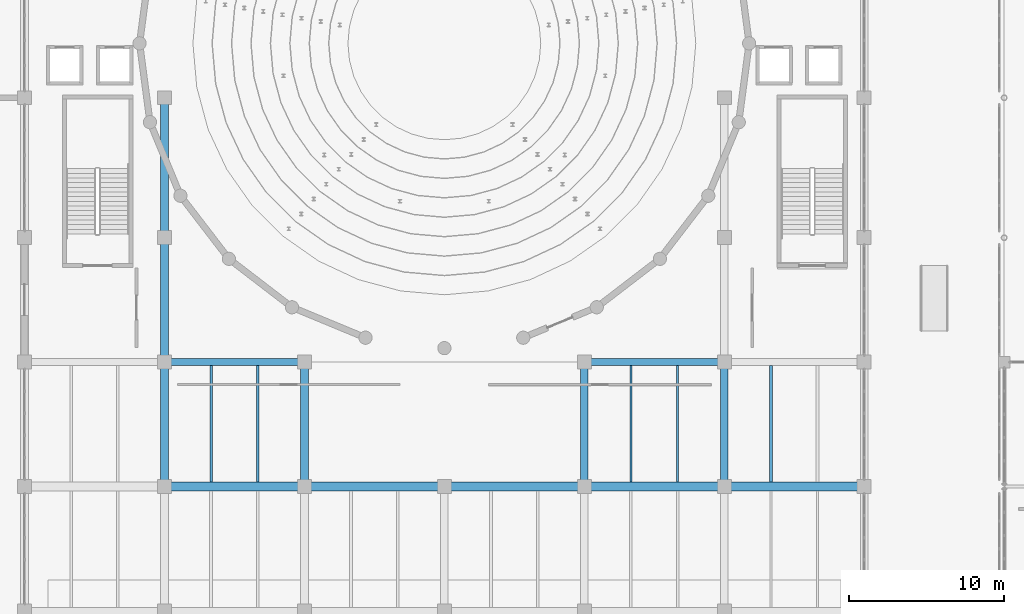
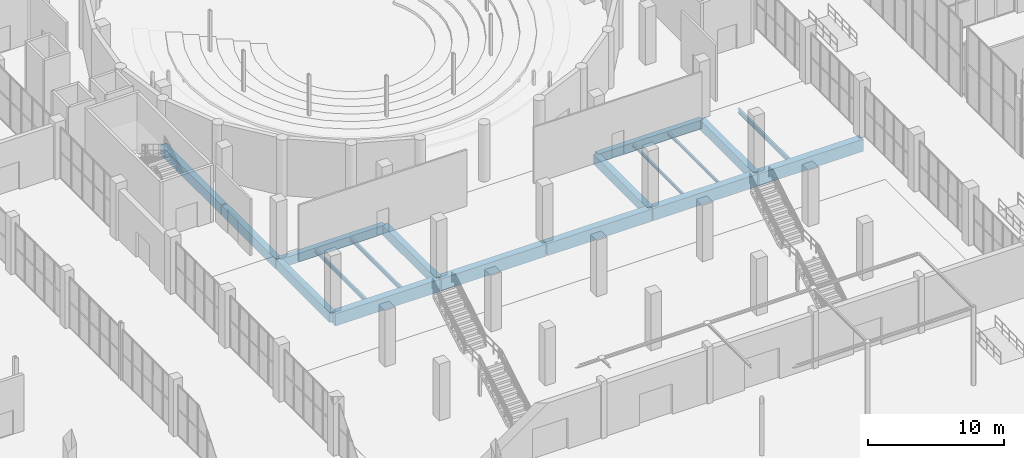
# One storey, part 43 of 103: 18 beams.
"""IFC4 building model written with IfcOpenShell, lengths in metres."""

from ifc_helpers import new_model, si_unit, direction, frame, origin, origin_2d, place, context, subcontext, project, spatial, rectangle, i_section, extrude, material, material_profile, profile_set, type_object, element, save


model = new_model("IFC4")

# Units and contexts
model_context = context("Model", 3, precision=1e-05, world=origin(), true_north=direction((0.0, 1.0)))
body_context = subcontext(model_context, "Body", "Model", "MODEL_VIEW")
ifc_project = project(units=[si_unit("LENGTHUNIT", "METRE"), si_unit("AREAUNIT", "SQUARE_METRE"), si_unit("VOLUMEUNIT", "CUBIC_METRE"), si_unit("PLANEANGLEUNIT", "RADIAN"), si_unit("MASSUNIT", "GRAM", prefix="KILO")], contexts=[model_context])

# Site, building, storey
site_placement = place(None, origin())
site = spatial("IfcSite", under=ifc_project, at=site_placement, CompositionType="ELEMENT")
building_placement = place(site_placement, origin())
building = spatial("IfcBuilding", under=site, at=building_placement, Name="Marnock Terrace Opera House", CompositionType="ELEMENT")
storey_placement = place(building_placement, origin())
storey = spatial("IfcBuildingStorey", under=building, at=storey_placement, Name="L00", CompositionType="ELEMENT", Elevation=0.0)

# Beams
ifc_material_1 = material(Name="Concrete N40 (f'c = 40 MPa)", Category="concrete")
ifc_material_profile_1 = material_profile(ifc_material_1, rectangle(XDim=0.449951171875, YDim=0.800048828125, at=origin_2d()))
ifc_profile_set_1 = profile_set([ifc_material_profile_1], Name="Concrete N40 (f'c = 40 MPa)")
beam_type_1 = type_object("IfcBeamType", Name="BM-B1-RC450", PredefinedType="BEAM", material=ifc_profile_set_1)
for number, where, z_axis, x_axis, name in (
    (1, (64.050048828125, 40.0, -0.699951171875), (1.0, 0.0, 0.0), (0.0, 1.0, 0.0), "L00 girder (64.0..73.0, Y=40.0)"),
    (2, (91.050048828125, 40.0, -0.699951171875), (1.0, 0.0, 0.0), (0.0, 1.0, 0.0), "L00 girder (91.0..100.0, Y=40.0)"),
):
    element("IfcBeam", number, at=place(storey_placement, frame(where, z_axis=z_axis, x_axis=x_axis)), inside=storey, type_object=beam_type_1, Name=name, PredefinedType="BEAM", context=body_context, shape_type="SweptSolid", body=[
        extrude(rectangle(XDim=0.449951171875, YDim=0.800048828125, at=origin_2d()), origin(), (0.0, 0.0, 1.0), 8.89990234375),
    ])
ifc_material_profile_2 = material_profile(ifc_material_1, rectangle(XDim=0.5, YDim=0.89990234375, at=origin_2d()))
ifc_profile_set_2 = profile_set([ifc_material_profile_2], Name="Concrete N40 (f'c = 40 MPa)")
beam_type_2 = type_object("IfcBeamType", Name="BM-B1-RC500", PredefinedType="BEAM", material=ifc_profile_set_2)
for number, where, z_axis, x_axis, name in (
    (3, (64.0, 32.050048828125, -0.75), (0.0, 1.0, 0.0), (-1.0, 0.0, 0.0), "L00 girder (X=64.0, 32.0..40.0)"),
    (4, (64.0, 40.050048828125, -0.75), (0.0, 1.0, 0.0), (-1.0, 0.0, 0.0), "L00 girder (X=64.0, 40.0..48.0)"),
):
    element("IfcBeam", number, at=place(storey_placement, frame(where, z_axis=z_axis, x_axis=x_axis)), inside=storey, type_object=beam_type_2, Name=name, PredefinedType="BEAM", context=body_context, shape_type="SweptSolid", body=[
        extrude(rectangle(XDim=0.5, YDim=0.89990234375, at=origin_2d()), origin(), (0.0, 0.0, 1.0), 7.89990234375),
    ])
beam_1_placement = place(storey_placement, frame((64.0, 48.050048828125, -0.75), z_axis=(0.0, 1.0, 0.0), x_axis=(-1.0, 0.0, 0.0)))
element("IfcBeam", 5, at=beam_1_placement, inside=storey, type_object=beam_type_2, Name="L00 girder (X=64.0, 48.0..57.0)", PredefinedType="BEAM", context=body_context, shape_type="SweptSolid", body=[
    extrude(rectangle(XDim=0.5, YDim=0.89990234375, at=origin_2d()), origin(), (0.0, 0.0, 1.0), 8.89990234375),
])
for number, where, z_axis, x_axis, name in (
    (6, (73.0, 32.050048828125, -0.75), (0.0, 1.0, 0.0), (-1.0, 0.0, 0.0), "L00 girder (X=73.0, 32.0..40.0)"),
    (7, (91.0, 32.050048828125, -0.75), (0.0, 1.0, 0.0), (-1.0, 0.0, 0.0), "L00 girder (X=91.0, 32.0..40.0)"),
    (8, (100.0, 32.050048828125, -0.75), (0.0, 1.0, 0.0), (-1.0, 0.0, 0.0), "L00 girder (X=100.0, 32.0..40.0)"),
):
    element("IfcBeam", number, at=place(storey_placement, frame(where, z_axis=z_axis, x_axis=x_axis)), inside=storey, type_object=beam_type_2, Name=name, PredefinedType="BEAM", context=body_context, shape_type="SweptSolid", body=[
        extrude(rectangle(XDim=0.5, YDim=0.89990234375, at=origin_2d()), origin(), (0.0, 0.0, 1.0), 7.89990234375),
    ])
ifc_material_profile_3 = material_profile(ifc_material_1, rectangle(XDim=0.60009765625, YDim=1.10009765625, at=origin_2d()))
ifc_profile_set_3 = profile_set([ifc_material_profile_3], Name="Concrete N40 (f'c = 40 MPa)")
beam_type_3 = type_object("IfcBeamType", Name="BM-B1-RC600", PredefinedType="BEAM", material=ifc_profile_set_3)
for number, where, z_axis, x_axis, name in (
    (9, (64.050048828125, 32.0, -0.85009765625), (1.0, 0.0, 0.0), (0.0, 1.0, 0.0), "L00 girder (64.0..73.0, Y=32.0)"),
    (10, (73.050048828125, 32.0, -0.85009765625), (1.0, 0.0, 0.0), (0.0, 1.0, 0.0), "L00 girder (73.0..82.0, Y=32.0)"),
    (11, (82.050048828125, 32.0, -0.85009765625), (1.0, 0.0, 0.0), (0.0, 1.0, 0.0), "L00 girder (82.0..91.0, Y=32.0)"),
    (12, (91.050048828125, 32.0, -0.85009765625), (1.0, 0.0, 0.0), (0.0, 1.0, 0.0), "L00 girder (91.0..100.0, Y=32.0)"),
    (13, (100.050048828125, 32.0, -0.85009765625), (1.0, 0.0, 0.0), (0.0, 1.0, 0.0), "L00 girder (100.0..109.0, Y=32.0)"),
):
    element("IfcBeam", number, at=place(storey_placement, frame(where, z_axis=z_axis, x_axis=x_axis)), inside=storey, type_object=beam_type_3, Name=name, PredefinedType="BEAM", context=body_context, shape_type="SweptSolid", body=[
        extrude(rectangle(XDim=0.60009765625, YDim=1.10009765625, at=origin_2d()), origin(), (0.0, 0.0, 1.0), 8.89990234375),
    ])
ifc_material_2 = material(Name="Steel Grade 350 (AS/NZS 3679.1)", Category="steel")
ifc_material_profile_4 = material_profile(ifc_material_2, i_section(OverallWidth=0.14599609375, OverallDepth=0.256103515625, WebThickness=0.00634765625, FlangeThickness=0.010986328125, FilletRadius=0.0087890625, at=origin_2d()))
ifc_profile_set_4 = profile_set([ifc_material_profile_4], Name="Steel Grade 350 (AS/NZS 3679.1)")
beam_type_4 = type_object("IfcBeamType", Name="BM-JOIST-250", PredefinedType="JOIST", material=ifc_profile_set_4)
for number, where, z_axis, x_axis, name in (
    (14, (94.0, 32.294921875, -0.427978515625), (0.0, 1.0, 0.0), (-1.0, 0.0, 0.0), "L00 secondary joist 10.4.1"),
    (15, (97.0, 32.294921875, -0.427978515625), (0.0, 1.0, 0.0), (-1.0, 0.0, 0.0), "L00 secondary joist 10.4.2"),
):
    element("IfcBeam", number, at=place(storey_placement, frame(where, z_axis=z_axis, x_axis=x_axis)), inside=storey, type_object=beam_type_4, Name=name, PredefinedType="JOIST", context=body_context, shape_type="SweptSolid", body=[
        extrude(i_section(OverallWidth=0.14599609375, OverallDepth=0.256103515625, WebThickness=0.00634765625, FlangeThickness=0.010986328125, FilletRadius=0.0087890625, at=origin_2d()), origin(), (0.0, 0.0, 1.0), 7.485107421875),
    ])
ifc_material_profile_5 = material_profile(ifc_material_2, i_section(OverallWidth=0.172119140625, OverallDepth=0.358642578125, WebThickness=0.008056640625, FlangeThickness=0.012939453125, FilletRadius=0.011474609375, at=origin_2d()))
ifc_profile_set_5 = profile_set([ifc_material_profile_5], Name="Steel Grade 350 (AS/NZS 3679.1)")
beam_type_5 = type_object("IfcBeamType", Name="BM-JOIST-360", PredefinedType="JOIST", material=ifc_profile_set_5)
for number, where, z_axis, x_axis, name in (
    (16, (67.0, 32.294921875, -0.479248046875), (0.0, 1.0, 0.0), (-1.0, 0.0, 0.0), "L00 secondary joist 7.4.1"),
    (17, (70.0, 32.294921875, -0.479248046875), (0.0, 1.0, 0.0), (-1.0, 0.0, 0.0), "L00 secondary joist 7.4.2"),
):
    element("IfcBeam", number, at=place(storey_placement, frame(where, z_axis=z_axis, x_axis=x_axis)), inside=storey, type_object=beam_type_5, Name=name, PredefinedType="JOIST", context=body_context, shape_type="SweptSolid", body=[
        extrude(i_section(OverallWidth=0.172119140625, OverallDepth=0.358642578125, WebThickness=0.008056640625, FlangeThickness=0.012939453125, FilletRadius=0.011474609375, at=origin_2d()), origin(), (0.0, 0.0, 1.0), 7.485107421875),
    ])
ifc_material_profile_6 = material_profile(ifc_material_2, i_section(OverallWidth=0.177978515625, OverallDepth=0.406494140625, WebThickness=0.0078125, FlangeThickness=0.0126953125, FilletRadius=0.011474609375, at=origin_2d()))
ifc_profile_set_6 = profile_set([ifc_material_profile_6], Name="Steel Grade 350 (AS/NZS 3679.1)")
beam_type_6 = type_object("IfcBeamType", Name="BM-JOIST-410", PredefinedType="JOIST", material=ifc_profile_set_6)
beam_2_placement = place(storey_placement, frame((103.0, 32.294921875, -0.503173828125), z_axis=(0.0, 1.0, 0.0), x_axis=(-1.0, 0.0, 0.0)))
element("IfcBeam", 18, at=beam_2_placement, inside=storey, type_object=beam_type_6, Name="L00 secondary joist 11.4.1", PredefinedType="JOIST", context=body_context, shape_type="SweptSolid", body=[
    extrude(i_section(OverallWidth=0.177978515625, OverallDepth=0.406494140625, WebThickness=0.0078125, FlangeThickness=0.0126953125, FilletRadius=0.011474609375, at=origin_2d()), origin(), (0.0, 0.0, 1.0), 7.485107421875),
])

save(model, "model.ifc")
